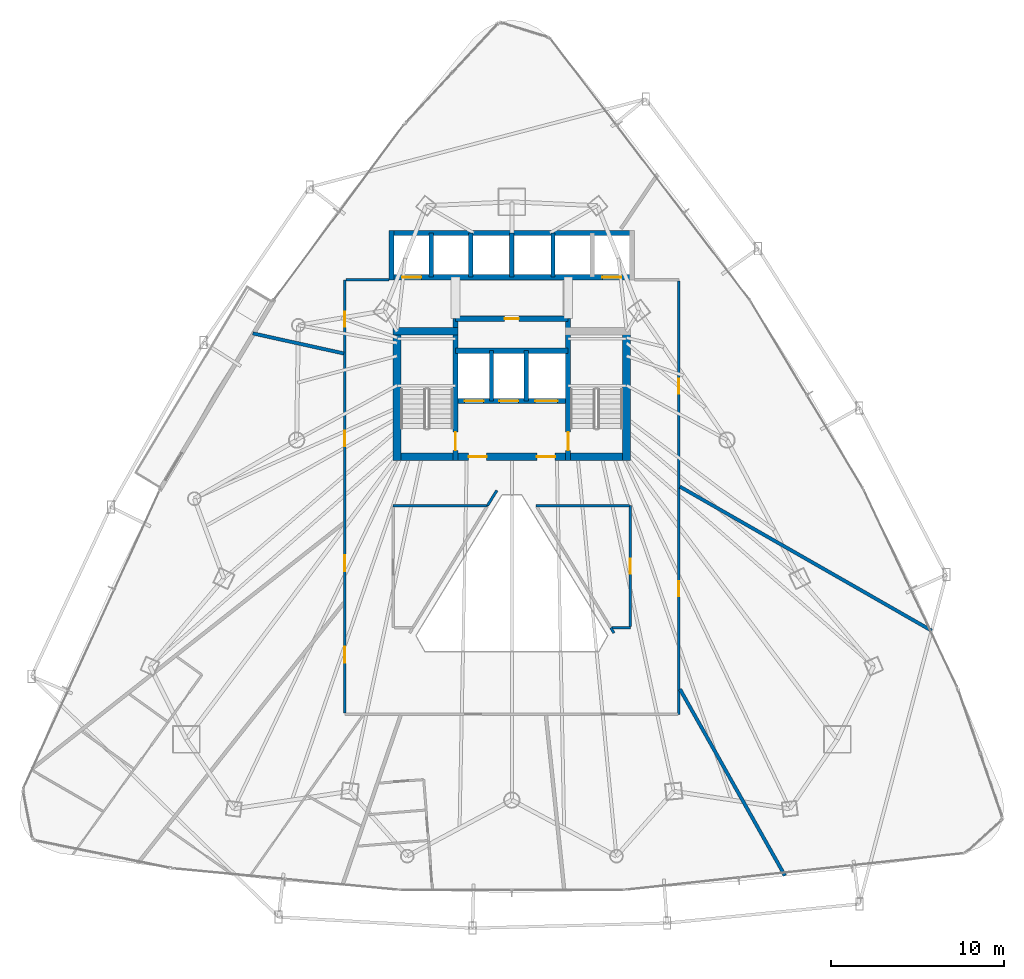
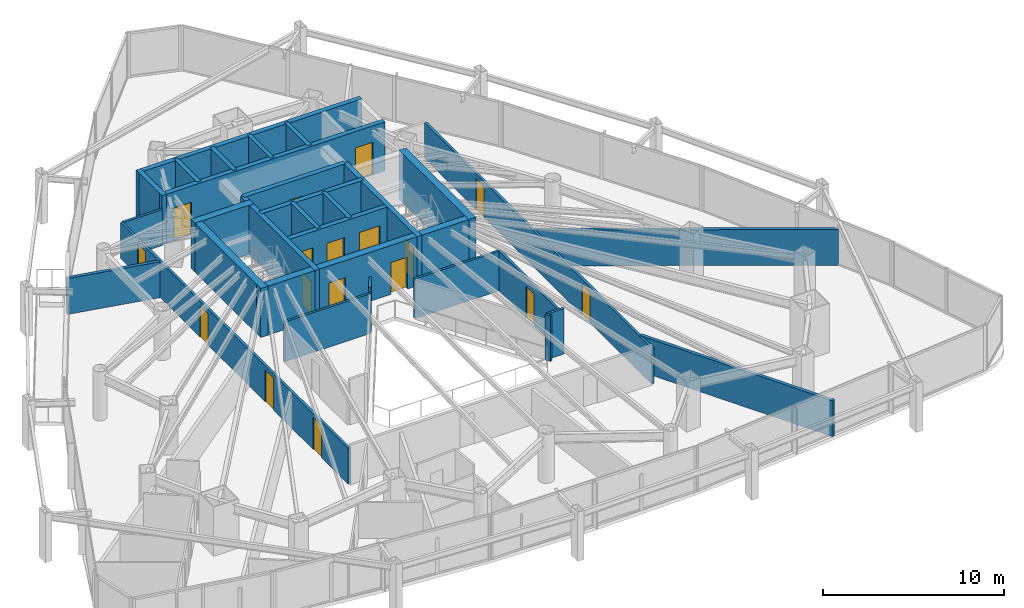
# One storey, part 32 of 37: 30 walls, 17 doors, 17 openings.
"""IFC4 building model written with IfcOpenShell, lengths in metres."""

from ifc_helpers import new_model, si_unit, direction, frame, frame_2d, origin, place, context, subcontext, project, spatial, rectangle, extrude, material, layer, layer_set, type_object, element, fill, save


model = new_model("IFC4")

# Units and contexts
model_context = context("Model", 3, precision=1e-05, world=origin(), true_north=direction((0.0, 1.0)))
body_context = subcontext(model_context, "Body", "Model", "MODEL_VIEW")
ifc_project = project(units=[si_unit("LENGTHUNIT", "METRE"), si_unit("AREAUNIT", "SQUARE_METRE"), si_unit("VOLUMEUNIT", "CUBIC_METRE"), si_unit("PLANEANGLEUNIT", "RADIAN"), si_unit("MASSUNIT", "GRAM", prefix="KILO")], contexts=[model_context])

# Site, building, storey
site_placement = place(None, origin())
site = spatial("IfcSite", under=ifc_project, at=site_placement, CompositionType="ELEMENT")
building_placement = place(site_placement, origin())
building = spatial("IfcBuilding", under=site, at=building_placement, Name="Orvanel Arch Residences", CompositionType="ELEMENT")
storey_placement = place(building_placement, frame((0.0, 0.0, 53.300048828125)))
storey = spatial("IfcBuildingStorey", under=building, at=storey_placement, Name="L14", CompositionType="ELEMENT", Elevation=53.300048828125)

# Walls
ifc_material_1 = material(Name="Concrete N50 (50 MPa)", Category="concrete")
ifc_layer_1 = layer(ifc_material_1, 0.25)
ifc_layer_set_1 = layer_set([ifc_layer_1], Name="Concrete N50 (50 MPa)")
wall_type_1 = type_object("IfcWallType", Name="SW-CORE-250", PredefinedType="SHEAR", material=ifc_layer_set_1)
for number, where, z_axis, x_axis, name in (
    (1, (31.824951171875, 29.89990234375, 0.0), (0.0, 0.0, 1.0), (0.0, 1.0, 0.0), "L14 Emergency Lift Inter-Shaft Wall F12"),
    (2, (33.824951171875, 29.89990234375, 0.0), (0.0, 0.0, 1.0), (0.0, 1.0, 0.0), "L14 Emergency Lift Inter-Shaft Wall F2G"),
):
    element("IfcWall", number, at=place(storey_placement, frame(where, z_axis=z_axis, x_axis=x_axis)), inside=storey, type_object=wall_type_1, Name=name, PredefinedType="SHEAR", context=body_context, shape_type="SweptSolid", body=[
        extrude(rectangle(XDim=2.900146484375, YDim=0.25, at=frame_2d((1.4501953125, 0.0))), origin(), (0.0, 0.0, 1.0), 3.300048828125),
    ])
for number, where, z_axis, x_axis, name in (
    (3, (28.35009765625, 37.050048828125, 0.0), (0.0, 0.0, 1.0), (0.0, 1.0, 0.0), "L14 Passenger Lift Inter-Shaft Wall P13"),
    (4, (30.625, 37.050048828125, 0.0), (0.0, 0.0, 1.0), (0.0, 1.0, 0.0), "L14 Passenger Lift Inter-Shaft Wall P35"),
    (5, (33.0, 37.050048828125, 0.0), (0.0, 0.0, 1.0), (0.0, 1.0, 0.0), "L14 Passenger Lift Inter-Shaft Wall P56"),
    (6, (35.375, 37.050048828125, 0.0), (0.0, 0.0, 1.0), (0.0, 1.0, 0.0), "L14 Passenger Lift Inter-Shaft Wall P64"),
):
    element("IfcWall", number, at=place(storey_placement, frame(where, z_axis=z_axis, x_axis=x_axis)), inside=storey, type_object=wall_type_1, Name=name, PredefinedType="SHEAR", context=body_context, shape_type="SweptSolid", body=[
        extrude(rectangle(XDim=2.550048828125, YDim=0.25, at=frame_2d((1.27490234375, 0.0))), origin(), (0.0, 0.0, 1.0), 3.300048828125),
    ])

# Wall, opening, door
ifc_material_2 = material(Name="Concrete S80 (80 MPa)", Category="concrete")
ifc_layer_2 = layer(ifc_material_2, 0.300048828125)
ifc_layer_set_2 = layer_set([ifc_layer_2], Name="Concrete S80 (80 MPa)")
wall_type_2 = type_object("IfcWallType", Name="SW-CORE-300", PredefinedType="SHEAR", material=ifc_layer_set_2)
wall_1_placement = place(storey_placement, frame((29.75, 26.449951171875, 0.0), z_axis=(0.0, 0.0, 1.0), x_axis=(0.0, 1.0, 0.0)))
wall_1 = element("IfcWall", 7, at=wall_1_placement, inside=storey, type_object=wall_type_2, Name="L14 West Inner Core Spine Shear Wall", PredefinedType="SHEAR", context=body_context, shape_type="SweptSolid", body=[
    extrude(rectangle(XDim=8.199951171875, YDim=0.300048828125, at=frame_2d((4.10009765625, 0.0))), origin(), (0.0, 0.0, 1.0), 3.300048828125),
])
opening_1_placement = place(wall_1_placement, frame((0.60009765625, 0.0, 0.0)))
opening_1 = element("IfcOpeningElement", 8, at=opening_1_placement, cuts=wall_1, Name="Opening DF-120", PredefinedType="OPENING", context=body_context, shape_type="SweptSolid", body=[
    extrude(rectangle(XDim=1.050048828125, YDim=2.14990234375, at=frame_2d((0.52490234375, 1.074951171875))), frame((0.0, 0.159912109375, 0.0), z_axis=(0.0, -1.0, 0.0), x_axis=(1.0, 0.0, 0.0)), (0.0, 0.0, 1.0), 0.320068359375),
])
ifc_material_3 = material(Name="Galvanised steel fire-resisting door assembly", Category="steel")
door_type_1 = type_object("IfcDoorType", Name="DR-FD120-1050", OperationType="NOTDEFINED", PredefinedType="DOOR", material=ifc_material_3)
door_1_placement = place(opening_1_placement, origin())
door_1 = element("IfcDoor", 9, at=door_1_placement, inside=storey, type_object=door_type_1, Name="DR-L14-ST1 L14 Stair 1 Fire Door", OperationType="SINGLE_SWING_LEFT", OverallHeight=2.14990234375, OverallWidth=1.050048828125, PredefinedType="DOOR", context=body_context, shape_type="SweptSolid", body=[
    extrude(rectangle(XDim=1.050048828125, YDim=2.14990234375, at=frame_2d((0.52490234375, 1.074951171875))), frame((0.0, 0.02490234375, 0.0), z_axis=(0.0, -1.0, 0.0), x_axis=(1.0, 0.0, 0.0)), (0.0, 0.0, 1.0), 0.050048828125),
])
fill(opening_1, door_1)

wall_2_placement = place(storey_placement, frame((36.25, 26.449951171875, 0.0), z_axis=(0.0, 0.0, 1.0), x_axis=(0.0, 1.0, 0.0)))
wall_2 = element("IfcWall", 10, at=wall_2_placement, inside=storey, type_object=wall_type_2, Name="L14 East Inner Core Spine Shear Wall", PredefinedType="SHEAR", context=body_context, shape_type="SweptSolid", body=[
    extrude(rectangle(XDim=8.199951171875, YDim=0.300048828125, at=frame_2d((4.10009765625, 0.0))), origin(), (0.0, 0.0, 1.0), 3.300048828125),
])
opening_2_placement = place(wall_2_placement, frame((0.60009765625, 0.0, 0.0)))
opening_2 = element("IfcOpeningElement", 11, at=opening_2_placement, cuts=wall_2, Name="Opening DF-120", PredefinedType="OPENING", context=body_context, shape_type="SweptSolid", body=[
    extrude(rectangle(XDim=1.050048828125, YDim=2.14990234375, at=frame_2d((0.52490234375, 1.074951171875))), frame((0.0, 0.159912109375, 0.0), z_axis=(0.0, -1.0, 0.0), x_axis=(1.0, 0.0, 0.0)), (0.0, 0.0, 1.0), 0.320068359375),
])
door_2_placement = place(opening_2_placement, origin())
door_2 = element("IfcDoor", 12, at=door_2_placement, inside=storey, type_object=door_type_1, Name="DR-L14-ST2 L14 Stair 2 Fire Door", OperationType="SINGLE_SWING_RIGHT", OverallHeight=2.14990234375, OverallWidth=1.050048828125, PredefinedType="DOOR", context=body_context, shape_type="SweptSolid", body=[
    extrude(rectangle(XDim=1.050048828125, YDim=2.14990234375, at=frame_2d((0.52490234375, 1.074951171875))), frame((0.0, 0.02490234375, 0.0), z_axis=(0.0, -1.0, 0.0), x_axis=(1.0, 0.0, 0.0)), (0.0, 0.0, 1.0), 0.050048828125),
])
fill(opening_2, door_2)

# Wall, openings, doors
wall_3_placement = place(storey_placement, frame((36.25, 29.89990234375, 0.0), z_axis=(0.0, 0.0, 1.0), x_axis=(-1.0, 0.0, 0.0)))
wall_3 = element("IfcWall", 13, at=wall_3_placement, inside=storey, type_object=wall_type_2, Name="L14 Emergency Lift Front Core Shear Wall", PredefinedType="SHEAR", context=body_context, shape_type="SweptSolid", body=[
    extrude(rectangle(XDim=6.5, YDim=0.300048828125, at=frame_2d((3.25, 0.0))), origin(), (0.0, 0.0, 1.0), 3.300048828125),
])
opening_3_placement = place(wall_3_placement, frame((4.875, 0.0, 0.0)))
opening_3 = element("IfcOpeningElement", 14, at=opening_3_placement, cuts=wall_3, Name="Opening LD-110", PredefinedType="OPENING", context=body_context, shape_type="SweptSolid", body=[
    extrude(rectangle(XDim=1.10009765625, YDim=2.199951171875, at=frame_2d((0.550048828125, 1.10009765625))), frame((0.0, 0.159912109375, 0.0), z_axis=(0.0, -1.0, 0.0), x_axis=(1.0, 0.0, 0.0)), (0.0, 0.0, 1.0), 0.320068359375),
])
opening_4_placement = place(wall_3_placement, frame((2.875, 0.0, 0.0)))
opening_4 = element("IfcOpeningElement", 15, at=opening_4_placement, cuts=wall_3, Name="Opening LD-110", PredefinedType="OPENING", context=body_context, shape_type="SweptSolid", body=[
    extrude(rectangle(XDim=1.10009765625, YDim=2.199951171875, at=frame_2d((0.550048828125, 1.10009765625))), frame((0.0, 0.159912109375, 0.0), z_axis=(0.0, -1.0, 0.0), x_axis=(1.0, 0.0, 0.0)), (0.0, 0.0, 1.0), 0.320068359375),
])
opening_5_placement = place(wall_3_placement, frame((0.60009765625, 0.0, 0.0)))
opening_5 = element("IfcOpeningElement", 16, at=opening_5_placement, cuts=wall_3, Name="Opening LD-130", PredefinedType="OPENING", context=body_context, shape_type="SweptSolid", body=[
    extrude(rectangle(XDim=1.300048828125, YDim=2.199951171875, at=frame_2d((0.64990234375, 1.10009765625))), frame((0.0, 0.159912109375, 0.0), z_axis=(0.0, -1.0, 0.0), x_axis=(1.0, 0.0, 0.0)), (0.0, 0.0, 1.0), 0.320068359375),
])
door_type_2 = type_object("IfcDoorType", Name="DR-LFT-1100", OperationType="NOTDEFINED", PredefinedType="DOOR", material=ifc_material_3)
door_3_placement = place(opening_3_placement, origin())
door_3 = element("IfcDoor", 17, at=door_3_placement, inside=storey, type_object=door_type_2, Name="LD-F1-L14 L14 Lift F1 Sliding Landing Door", OperationType="DOUBLE_DOOR_SLIDING", OverallHeight=2.199951171875, OverallWidth=1.10009765625, PredefinedType="DOOR", context=body_context, shape_type="SweptSolid", body=[
    extrude(rectangle(XDim=1.10009765625, YDim=2.199951171875, at=frame_2d((0.550048828125, 1.10009765625))), frame((0.0, 0.02490234375, 0.0), z_axis=(0.0, -1.0, 0.0), x_axis=(1.0, 0.0, 0.0)), (0.0, 0.0, 1.0), 0.050048828125),
])
fill(opening_3, door_3)
door_4_placement = place(opening_4_placement, origin())
door_4 = element("IfcDoor", 18, at=door_4_placement, inside=storey, type_object=door_type_2, Name="LD-F2-L14 L14 Lift F2 Sliding Landing Door", OperationType="DOUBLE_DOOR_SLIDING", OverallHeight=2.199951171875, OverallWidth=1.10009765625, PredefinedType="DOOR", context=body_context, shape_type="SweptSolid", body=[
    extrude(rectangle(XDim=1.10009765625, YDim=2.199951171875, at=frame_2d((0.550048828125, 1.10009765625))), frame((0.0, 0.02490234375, 0.0), z_axis=(0.0, -1.0, 0.0), x_axis=(1.0, 0.0, 0.0)), (0.0, 0.0, 1.0), 0.050048828125),
])
fill(opening_4, door_4)
door_type_3 = type_object("IfcDoorType", Name="DR-LFT-1300", OperationType="NOTDEFINED", PredefinedType="DOOR", material=ifc_material_3)
door_5_placement = place(opening_5_placement, origin())
door_5 = element("IfcDoor", 19, at=door_5_placement, inside=storey, type_object=door_type_3, Name="LD-G1-L14 L14 Lift G1 Sliding Landing Door", OperationType="DOUBLE_DOOR_SLIDING", OverallHeight=2.199951171875, OverallWidth=1.300048828125, PredefinedType="DOOR", context=body_context, shape_type="SweptSolid", body=[
    extrude(rectangle(XDim=1.300048828125, YDim=2.199951171875, at=frame_2d((0.64990234375, 1.10009765625))), frame((0.0, 0.02490234375, 0.0), z_axis=(0.0, -1.0, 0.0), x_axis=(1.0, 0.0, 0.0)), (0.0, 0.0, 1.0), 0.050048828125),
])
fill(opening_5, door_5)

# Wall
wall_4_placement = place(storey_placement, frame((29.75, 32.800048828125, 0.0), z_axis=(0.0, 0.0, 1.0), x_axis=(1.0, 0.0, 0.0)))
element("IfcWall", 20, at=wall_4_placement, inside=storey, type_object=wall_type_2, Name="L14 Emergency Lift Back Core Shear Wall", PredefinedType="SHEAR", context=body_context, shape_type="SweptSolid", body=[
    extrude(rectangle(XDim=6.5, YDim=0.300048828125, at=frame_2d((3.25, 0.0))), origin(), (0.0, 0.0, 1.0), 3.300048828125),
])

# Wall, opening, door
wall_5_placement = place(storey_placement, frame((29.75, 34.64990234375, 0.0), z_axis=(0.0, 0.0, 1.0), x_axis=(1.0, 0.0, 0.0)))
wall_5 = element("IfcWall", 21, at=wall_5_placement, inside=storey, type_object=wall_type_2, Name="L14 Core Service Band North Shear Wall", PredefinedType="SHEAR", context=body_context, shape_type="SweptSolid", body=[
    extrude(rectangle(XDim=6.5, YDim=0.300048828125, at=frame_2d((3.25, 0.0))), origin(), (0.0, 0.0, 1.0), 3.300048828125),
])
opening_6_placement = place(wall_5_placement, frame((2.840087890625, 0.0, 0.0)))
opening_6 = element("IfcOpeningElement", 22, at=opening_6_placement, cuts=wall_5, Name="Opening DS-082", PredefinedType="OPENING", context=body_context, shape_type="SweptSolid", body=[
    extrude(rectangle(XDim=0.820068359375, YDim=2.10009765625, at=frame_2d((0.41015625, 1.050048828125))), frame((0.0, 0.159912109375, 0.0), z_axis=(0.0, -1.0, 0.0), x_axis=(1.0, 0.0, 0.0)), (0.0, 0.0, 1.0), 0.320068359375),
])
door_type_4 = type_object("IfcDoorType", Name="DR-SVC-820", OperationType="NOTDEFINED", PredefinedType="DOOR", material=ifc_material_3)
door_6_placement = place(opening_6_placement, origin())
door_6 = element("IfcDoor", 23, at=door_6_placement, inside=storey, type_object=door_type_4, Name="DR-L14-CSVC-1 L14 Housekeeping Linen Store Door", OperationType="SINGLE_SWING_LEFT", OverallHeight=2.10009765625, OverallWidth=0.820068359375, PredefinedType="DOOR", context=body_context, shape_type="SweptSolid", body=[
    extrude(rectangle(XDim=0.820068359375, YDim=2.10009765625, at=frame_2d((0.41015625, 1.050048828125))), frame((0.0, 0.02490234375, 0.0), z_axis=(0.0, -1.0, 0.0), x_axis=(1.0, 0.0, 0.0)), (0.0, 0.0, 1.0), 0.050048828125),
])
fill(opening_6, door_6)

# Wall, openings, doors
wall_6_placement = place(storey_placement, frame((40.10009765625, 37.050048828125, 0.0), z_axis=(0.0, 0.0, 1.0), x_axis=(-1.0, 0.0, 0.0)))
wall_6 = element("IfcWall", 24, at=wall_6_placement, inside=storey, type_object=wall_type_2, Name="L14 Passenger Lift Bank Front Shear Wall", PredefinedType="SHEAR", context=body_context, shape_type="SweptSolid", body=[
    extrude(rectangle(XDim=14.2001953125, YDim=0.300048828125, at=frame_2d((7.10009765625, 0.0))), origin(), (0.0, 0.0, 1.0), 3.300048828125),
])
opening_7_placement = place(wall_6_placement, frame((12.324951171875, 0.0, 0.0)))
opening_7 = element("IfcOpeningElement", 25, at=opening_7_placement, cuts=wall_6, Name="Opening LD-110", PredefinedType="OPENING", context=body_context, shape_type="SweptSolid", body=[
    extrude(rectangle(XDim=1.10009765625, YDim=2.199951171875, at=frame_2d((0.550048828125, 1.10009765625))), frame((0.0, 0.159912109375, 0.0), z_axis=(0.0, -1.0, 0.0), x_axis=(1.0, 0.0, 0.0)), (0.0, 0.0, 1.0), 0.320068359375),
])
opening_8_placement = place(wall_6_placement, frame((0.77490234375, 0.0, 0.0)))
opening_8 = element("IfcOpeningElement", 26, at=opening_8_placement, cuts=wall_6, Name="Opening LD-110", PredefinedType="OPENING", context=body_context, shape_type="SweptSolid", body=[
    extrude(rectangle(XDim=1.10009765625, YDim=2.199951171875, at=frame_2d((0.550048828125, 1.10009765625))), frame((0.0, 0.159912109375, 0.0), z_axis=(0.0, -1.0, 0.0), x_axis=(1.0, 0.0, 0.0)), (0.0, 0.0, 1.0), 0.320068359375),
])
door_7_placement = place(opening_7_placement, origin())
door_7 = element("IfcDoor", 27, at=door_7_placement, inside=storey, type_object=door_type_2, Name="LD-P1-L14 L14 Passenger Lift P1 Sliding Landing Door", OperationType="DOUBLE_DOOR_SLIDING", OverallHeight=2.199951171875, OverallWidth=1.10009765625, PredefinedType="DOOR", context=body_context, shape_type="SweptSolid", body=[
    extrude(rectangle(XDim=1.10009765625, YDim=2.199951171875, at=frame_2d((0.550048828125, 1.10009765625))), frame((0.0, 0.02490234375, 0.0), z_axis=(0.0, -1.0, 0.0), x_axis=(1.0, 0.0, 0.0)), (0.0, 0.0, 1.0), 0.050048828125),
])
fill(opening_7, door_7)
door_8_placement = place(opening_8_placement, origin())
door_8 = element("IfcDoor", 28, at=door_8_placement, inside=storey, type_object=door_type_2, Name="LD-P2-L14 L14 Passenger Lift P2 Sliding Landing Door", OperationType="DOUBLE_DOOR_SLIDING", OverallHeight=2.199951171875, OverallWidth=1.10009765625, PredefinedType="DOOR", context=body_context, shape_type="SweptSolid", body=[
    extrude(rectangle(XDim=1.10009765625, YDim=2.199951171875, at=frame_2d((0.550048828125, 1.10009765625))), frame((0.0, 0.02490234375, 0.0), z_axis=(0.0, -1.0, 0.0), x_axis=(1.0, 0.0, 0.0)), (0.0, 0.0, 1.0), 0.050048828125),
])
fill(opening_8, door_8)

# Walls
wall_7_placement = place(storey_placement, frame((25.89990234375, 39.60009765625, 0.0), z_axis=(0.0, 0.0, 1.0), x_axis=(1.0, 0.0, 0.0)))
element("IfcWall", 29, at=wall_7_placement, inside=storey, type_object=wall_type_2, Name="L14 Passenger Lift Bank North Shear Wall", PredefinedType="SHEAR", context=body_context, shape_type="SweptSolid", body=[
    extrude(rectangle(XDim=14.2001953125, YDim=0.300048828125, at=frame_2d((7.10009765625, 0.0))), origin(), (0.0, 0.0, 1.0), 3.300048828125),
])
wall_8_placement = place(storey_placement, frame((26.050048828125, 36.89990234375, 0.0), z_axis=(0.0, 0.0, 1.0), x_axis=(0.0, 1.0, 0.0)))
element("IfcWall", 30, at=wall_8_placement, inside=storey, type_object=wall_type_2, Name="L14 Passenger Lift Bank West Shear Wall", PredefinedType="SHEAR", context=body_context, shape_type="SweptSolid", body=[
    extrude(rectangle(XDim=2.85009765625, YDim=0.300048828125, at=frame_2d((1.425048828125, 0.0))), origin(), (0.0, 0.0, 1.0), 3.300048828125),
])

# Wall, openings, doors
ifc_layer_3 = layer(ifc_material_2, 0.449951171875)
ifc_layer_set_3 = layer_set([ifc_layer_3], Name="Concrete S80 (80 MPa)")
wall_type_3 = type_object("IfcWallType", Name="SW-CORE-450", PredefinedType="SHEAR", material=ifc_layer_set_3)
wall_9_placement = place(storey_placement, frame((26.14990234375, 26.675048828125, 0.0), z_axis=(0.0, 0.0, 1.0), x_axis=(1.0, 0.0, 0.0)))
wall_9 = element("IfcWall", 31, at=wall_9_placement, inside=storey, type_object=wall_type_3, Name="L14 South Core Shear Wall", PredefinedType="SHEAR", context=body_context, shape_type="SweptSolid", body=[
    extrude(rectangle(XDim=13.7001953125, YDim=0.449951171875, at=frame_2d((6.85009765625, 0.0))), origin(), (0.0, 0.0, 1.0), 3.300048828125),
])
opening_9_placement = place(wall_9_placement, frame((4.35009765625, 0.0, 0.0)))
opening_9 = element("IfcOpeningElement", 32, at=opening_9_placement, cuts=wall_9, Name="Opening DF-060", PredefinedType="OPENING", context=body_context, shape_type="SweptSolid", body=[
    extrude(rectangle(XDim=1.050048828125, YDim=2.14990234375, at=frame_2d((0.52490234375, 1.074951171875))), frame((0.0, 0.23486328125, 0.0), z_axis=(0.0, -1.0, 0.0), x_axis=(1.0, 0.0, 0.0)), (0.0, 0.0, 1.0), 0.469970703125),
])
opening_10_placement = place(wall_9_placement, frame((8.300048828125, 0.0, 0.0)))
opening_10 = element("IfcOpeningElement", 33, at=opening_10_placement, cuts=wall_9, Name="Opening DF-060", PredefinedType="OPENING", context=body_context, shape_type="SweptSolid", body=[
    extrude(rectangle(XDim=1.050048828125, YDim=2.14990234375, at=frame_2d((0.52490234375, 1.074951171875))), frame((0.0, 0.23486328125, 0.0), z_axis=(0.0, -1.0, 0.0), x_axis=(1.0, 0.0, 0.0)), (0.0, 0.0, 1.0), 0.469970703125),
])
door_type_5 = type_object("IfcDoorType", Name="DR-FD60-1050", OperationType="NOTDEFINED", PredefinedType="DOOR", material=ifc_material_3)
door_9_placement = place(opening_9_placement, origin())
door_9 = element("IfcDoor", 34, at=door_9_placement, inside=storey, type_object=door_type_5, Name="DR-L14-FFL-W L14 West Smoke Lobby Door", OperationType="SINGLE_SWING_LEFT", OverallHeight=2.14990234375, OverallWidth=1.050048828125, PredefinedType="DOOR", context=body_context, shape_type="SweptSolid", body=[
    extrude(rectangle(XDim=1.050048828125, YDim=2.14990234375, at=frame_2d((0.52490234375, 1.074951171875))), frame((0.0, 0.02490234375, 0.0), z_axis=(0.0, -1.0, 0.0), x_axis=(1.0, 0.0, 0.0)), (0.0, 0.0, 1.0), 0.050048828125),
])
fill(opening_9, door_9)
door_10_placement = place(opening_10_placement, origin())
door_10 = element("IfcDoor", 35, at=door_10_placement, inside=storey, type_object=door_type_5, Name="DR-L14-FFL-E L14 East Smoke Lobby Door", OperationType="SINGLE_SWING_RIGHT", OverallHeight=2.14990234375, OverallWidth=1.050048828125, PredefinedType="DOOR", context=body_context, shape_type="SweptSolid", body=[
    extrude(rectangle(XDim=1.050048828125, YDim=2.14990234375, at=frame_2d((0.52490234375, 1.074951171875))), frame((0.0, 0.02490234375, 0.0), z_axis=(0.0, -1.0, 0.0), x_axis=(1.0, 0.0, 0.0)), (0.0, 0.0, 1.0), 0.050048828125),
])
fill(opening_10, door_10)

# Walls
wall_10_placement = place(storey_placement, frame((26.375, 26.449951171875, 0.0), z_axis=(0.0, 0.0, 1.0), x_axis=(0.0, 1.0, 0.0)))
element("IfcWall", 36, at=wall_10_placement, inside=storey, type_object=wall_type_3, Name="L14 West Stair Shear Wall", PredefinedType="SHEAR", context=body_context, shape_type="SweptSolid", body=[
    extrude(rectangle(XDim=7.699951171875, YDim=0.449951171875, at=frame_2d((3.85009765625, 0.0))), origin(), (0.0, 0.0, 1.0), 3.300048828125),
])
wall_11_placement = place(storey_placement, frame((26.14990234375, 33.925048828125, 0.0), z_axis=(0.0, 0.0, 1.0), x_axis=(1.0, 0.0, 0.0)))
element("IfcWall", 37, at=wall_11_placement, inside=storey, type_object=wall_type_3, Name="L14 West Stair North Shear Wall", PredefinedType="SHEAR", context=body_context, shape_type="SweptSolid", body=[
    extrude(rectangle(XDim=3.75, YDim=0.449951171875, at=frame_2d((1.875, 0.0))), origin(), (0.0, 0.0, 1.0), 3.300048828125),
])
wall_12_placement = place(storey_placement, frame((39.625, 26.449951171875, 0.0), z_axis=(0.0, 0.0, 1.0), x_axis=(0.0, 1.0, 0.0)))
element("IfcWall", 38, at=wall_12_placement, inside=storey, type_object=wall_type_3, Name="L14 East Stair Shear Wall", PredefinedType="SHEAR", context=body_context, shape_type="SweptSolid", body=[
    extrude(rectangle(XDim=7.699951171875, YDim=0.449951171875, at=frame_2d((3.85009765625, 0.0))), origin(), (0.0, 0.0, 1.0), 3.300048828125),
])

# Wall, openings, doors
ifc_material_4 = material(Name="Fire-rated plasterboard lined steel stud partition", Category="steel")
ifc_layer_4 = layer(ifc_material_4, 0.14990234375)
ifc_layer_set_4 = layer_set([ifc_layer_4], Name="Fire-rated plasterboard lined steel stud partition")
wall_type_4 = type_object("IfcWallType", Name="W-COR-150", PredefinedType="PARTITIONING", material=ifc_layer_set_4)
wall_13_placement = place(storey_placement, frame((42.64990234375, 36.840087890625, 0.0), z_axis=(0.0, 0.0, 1.0), x_axis=(0.0, -1.0, 0.0)))
wall_13 = element("IfcWall", 39, at=wall_13_placement, inside=storey, type_object=wall_type_4, Name="L14 Corridor Fire-Rated Partition", PredefinedType="PARTITIONING", context=body_context, shape_type="SweptSolid", body=[
    extrude(rectangle(XDim=25.0400390625, YDim=0.14990234375, at=frame_2d((12.52001953125, 0.0))), origin(), (0.0, 0.0, 1.0), 2.412841796875),
])
opening_11_placement = place(wall_13_placement, frame((17.343994140625, 0.0, 0.0)))
opening_11 = element("IfcOpeningElement", 40, at=opening_11_placement, cuts=wall_13, Name="Opening DI-088", PredefinedType="OPENING", context=body_context, shape_type="SweptSolid", body=[
    extrude(rectangle(XDim=0.8798828125, YDim=2.10009765625, at=frame_2d((0.43994140625, 1.050048828125))), frame((0.0, 0.0849609375, 0.0), z_axis=(0.0, -1.0, 0.0), x_axis=(1.0, 0.0, 0.0)), (0.0, 0.0, 1.0), 0.169921875),
])
opening_12_placement = place(wall_13_placement, frame((5.656005859375, 0.0, 0.0)))
opening_12 = element("IfcOpeningElement", 41, at=opening_12_placement, cuts=wall_13, Name="Opening DI-088", PredefinedType="OPENING", context=body_context, shape_type="SweptSolid", body=[
    extrude(rectangle(XDim=0.8798828125, YDim=2.10009765625, at=frame_2d((0.43994140625, 1.050048828125))), frame((0.0, 0.0849609375, 0.0), z_axis=(0.0, -1.0, 0.0), x_axis=(1.0, 0.0, 0.0)), (0.0, 0.0, 1.0), 0.169921875),
])
ifc_material_5 = material(Name="Solid-core European oak veneer fire door leaf", Category="wood")
door_type_6 = type_object("IfcDoorType", Name="DR-INT-880", OperationType="NOTDEFINED", PredefinedType="DOOR", material=ifc_material_5)
door_11_placement = place(opening_11_placement, origin())
door_11 = element("IfcDoor", 42, at=door_11_placement, inside=storey, type_object=door_type_6, Name="DR-L14-SHRD-FB1 L14 Co-Working Study Office A Door", OperationType="SINGLE_SWING_LEFT", OverallHeight=2.10009765625, OverallWidth=0.8798828125, PredefinedType="DOOR", context=body_context, shape_type="SweptSolid", body=[
    extrude(rectangle(XDim=0.8798828125, YDim=2.10009765625, at=frame_2d((0.43994140625, 1.050048828125))), frame((0.0, 0.02490234375, 0.0), z_axis=(0.0, -1.0, 0.0), x_axis=(1.0, 0.0, 0.0)), (0.0, 0.0, 1.0), 0.050048828125),
])
fill(opening_11, door_11)
door_12_placement = place(opening_12_placement, origin())
door_12 = element("IfcDoor", 43, at=door_12_placement, inside=storey, type_object=door_type_6, Name="DR-L14-SHRD-FB4 L14 Co-Working Study Office D Door", OperationType="SINGLE_SWING_LEFT", OverallHeight=2.10009765625, OverallWidth=0.8798828125, PredefinedType="DOOR", context=body_context, shape_type="SweptSolid", body=[
    extrude(rectangle(XDim=0.8798828125, YDim=2.10009765625, at=frame_2d((0.43994140625, 1.050048828125))), frame((0.0, 0.02490234375, 0.0), z_axis=(0.0, -1.0, 0.0), x_axis=(1.0, 0.0, 0.0)), (0.0, 0.0, 1.0), 0.050048828125),
])
fill(opening_12, door_12)

wall_14_placement = place(storey_placement, frame((23.35009765625, 11.860107421875, 0.0), z_axis=(0.0, 0.0, 1.0), x_axis=(0.0, 1.0, 0.0)))
wall_14 = element("IfcWall", 44, at=wall_14_placement, inside=storey, type_object=wall_type_4, Name="L14 Corridor Fire-Rated Partition", PredefinedType="PARTITIONING", context=body_context, shape_type="SweptSolid", body=[
    extrude(rectangle(XDim=25.039794921875, YDim=0.14990234375, at=frame_2d((12.52001953125, 0.0))), origin(), (0.0, 0.0, 1.0), 2.412841796875),
])
opening_13_placement = place(wall_14_placement, frame((15.43408203125, 0.0, 0.0)))
opening_13 = element("IfcOpeningElement", 45, at=opening_13_placement, cuts=wall_14, Name="Opening DI-088", PredefinedType="OPENING", context=body_context, shape_type="SweptSolid", body=[
    extrude(rectangle(XDim=0.8798828125, YDim=2.10009765625, at=frame_2d((0.43994140625, 1.050048828125))), frame((0.0, 0.0849609375, 0.0), z_axis=(0.0, -1.0, 0.0), x_axis=(1.0, 0.0, 0.0)), (0.0, 0.0, 1.0), 0.169921875),
])
opening_14_placement = place(wall_14_placement, frame((22.31494140625, 0.0, 0.0)))
opening_14 = element("IfcOpeningElement", 46, at=opening_14_placement, cuts=wall_14, Name="Opening DI-088", PredefinedType="OPENING", context=body_context, shape_type="SweptSolid", body=[
    extrude(rectangle(XDim=0.8798828125, YDim=2.10009765625, at=frame_2d((0.43994140625, 1.050048828125))), frame((0.0, 0.0849609375, 0.0), z_axis=(0.0, -1.0, 0.0), x_axis=(1.0, 0.0, 0.0)), (0.0, 0.0, 1.0), 0.169921875),
])
opening_15_placement = place(wall_14_placement, frame((8.2099609375, 0.0, 0.0)))
opening_15 = element("IfcOpeningElement", 47, at=opening_15_placement, cuts=wall_14, Name="Opening DA-092", PredefinedType="OPENING", context=body_context, shape_type="SweptSolid", body=[
    extrude(rectangle(XDim=0.919921875, YDim=2.14990234375, at=frame_2d((0.4599609375, 1.074951171875))), frame((0.0, 0.0849609375, 0.0), z_axis=(0.0, -1.0, 0.0), x_axis=(1.0, 0.0, 0.0)), (0.0, 0.0, 1.0), 0.169921875),
])
opening_16_placement = place(wall_14_placement, frame((2.912109375, 0.0, 0.0)))
opening_16 = element("IfcOpeningElement", 48, at=opening_16_placement, cuts=wall_14, Name="Opening DA-092", PredefinedType="OPENING", context=body_context, shape_type="SweptSolid", body=[
    extrude(rectangle(XDim=0.919921875, YDim=2.14990234375, at=frame_2d((0.4599609375, 1.074951171875))), frame((0.0, 0.0849609375, 0.0), z_axis=(0.0, -1.0, 0.0), x_axis=(1.0, 0.0, 0.0)), (0.0, 0.0, 1.0), 0.169921875),
])
door_type_7 = type_object("IfcDoorType", Name="DR-APT-920", OperationType="NOTDEFINED", PredefinedType="DOOR", material=ifc_material_5)
door_13_placement = place(opening_15_placement, origin())
door_13 = element("IfcDoor", 49, at=door_13_placement, inside=storey, type_object=door_type_7, Name="DR-L14-E-ENT L14 Flat E Entrance Door", OperationType="SINGLE_SWING_RIGHT", OverallHeight=2.14990234375, OverallWidth=0.919921875, PredefinedType="DOOR", context=body_context, shape_type="SweptSolid", body=[
    extrude(rectangle(XDim=0.919921875, YDim=2.14990234375, at=frame_2d((0.4599609375, 1.074951171875))), frame((0.0, 0.02490234375, 0.0), z_axis=(0.0, -1.0, 0.0), x_axis=(1.0, 0.0, 0.0)), (0.0, 0.0, 1.0), 0.050048828125),
])
fill(opening_15, door_13)
door_14_placement = place(opening_16_placement, origin())
door_14 = element("IfcDoor", 50, at=door_14_placement, inside=storey, type_object=door_type_7, Name="DR-L14-F-ENT L14 Flat F Entrance Door", OperationType="SINGLE_SWING_LEFT", OverallHeight=2.14990234375, OverallWidth=0.919921875, PredefinedType="DOOR", context=body_context, shape_type="SweptSolid", body=[
    extrude(rectangle(XDim=0.919921875, YDim=2.14990234375, at=frame_2d((0.4599609375, 1.074951171875))), frame((0.0, 0.02490234375, 0.0), z_axis=(0.0, -1.0, 0.0), x_axis=(1.0, 0.0, 0.0)), (0.0, 0.0, 1.0), 0.050048828125),
])
fill(opening_16, door_14)
door_15_placement = place(opening_13_placement, origin())
door_15 = element("IfcDoor", 51, at=door_15_placement, inside=storey, type_object=door_type_6, Name="DR-L14-SHRD-FB2 L14 Co-Working Study Office B Door", OperationType="SINGLE_SWING_LEFT", OverallHeight=2.10009765625, OverallWidth=0.8798828125, PredefinedType="DOOR", context=body_context, shape_type="SweptSolid", body=[
    extrude(rectangle(XDim=0.8798828125, YDim=2.10009765625, at=frame_2d((0.43994140625, 1.050048828125))), frame((0.0, 0.02490234375, 0.0), z_axis=(0.0, -1.0, 0.0), x_axis=(1.0, 0.0, 0.0)), (0.0, 0.0, 1.0), 0.050048828125),
])
fill(opening_13, door_15)
door_16_placement = place(opening_14_placement, origin())
door_16 = element("IfcDoor", 52, at=door_16_placement, inside=storey, type_object=door_type_6, Name="DR-L14-SHRD-FB3 L14 Co-Working Study Office C Door", OperationType="SINGLE_SWING_LEFT", OverallHeight=2.10009765625, OverallWidth=0.8798828125, PredefinedType="DOOR", context=body_context, shape_type="SweptSolid", body=[
    extrude(rectangle(XDim=0.8798828125, YDim=2.10009765625, at=frame_2d((0.43994140625, 1.050048828125))), frame((0.0, 0.02490234375, 0.0), z_axis=(0.0, -1.0, 0.0), x_axis=(1.0, 0.0, 0.0)), (0.0, 0.0, 1.0), 0.050048828125),
])
fill(opening_14, door_16)

# Walls
wall_15_placement = place(storey_placement, frame((23.409912109375, 36.89990234375, 0.0), z_axis=(0.0, 0.0, 1.0), x_axis=(1.0, 0.0, 0.0)))
element("IfcWall", 53, at=wall_15_placement, inside=storey, type_object=wall_type_4, Name="L14 Corridor Fire-Rated Partition", PredefinedType="PARTITIONING", context=body_context, shape_type="SweptSolid", body=[
    extrude(rectangle(XDim=2.489990234375, YDim=0.14990234375, at=frame_2d((1.2451171875, 0.0))), origin(), (0.0, 0.0, 1.0), 2.412841796875),
])
wall_16_placement = place(storey_placement, frame((32.134033203125, 24.72802734375, 0.0), z_axis=(0.0, 0.0, 1.0), x_axis=(-0.525996314714, -0.850486846993, 0.0)))
element("IfcWall", 54, at=wall_16_placement, inside=storey, type_object=wall_type_4, Name="L14 Corridor Fire-Rated Partition", PredefinedType="PARTITIONING", context=body_context, shape_type="SweptSolid", body=[
    extrude(rectangle(XDim=1.0322265625, YDim=0.14990234375, at=frame_2d((0.51611328125, 0.0))), origin(), (0.0, 0.0, 1.0), 3.06005859375),
])
wall_17_placement = place(storey_placement, frame((31.591064453125, 23.85009765625, 0.0), z_axis=(0.0, 0.0, 1.0), x_axis=(-1.0, 0.0, 0.0)))
element("IfcWall", 55, at=wall_17_placement, inside=storey, type_object=wall_type_4, Name="L14 Corridor Fire-Rated Partition", PredefinedType="PARTITIONING", context=body_context, shape_type="SweptSolid", body=[
    extrude(rectangle(XDim=5.441162109375, YDim=0.14990234375, at=frame_2d((2.720703125, 0.0))), origin(), (0.0, 0.0, 1.0), 2.6689453125),
])
wall_18_placement = place(storey_placement, frame((38.89697265625, 16.498046875, 0.0), z_axis=(0.0, 0.0, 1.0), x_axis=(-0.507720001023, 0.861522141654, 0.0)))
element("IfcWall", 56, at=wall_18_placement, inside=storey, type_object=wall_type_4, Name="L14 Corridor Fire-Rated Partition", PredefinedType="PARTITIONING", context=body_context, shape_type="SweptSolid", body=[
    extrude(rectangle(XDim=0.3505859375, YDim=0.14990234375, at=frame_2d((0.17529296875, 0.0))), origin(), (0.0, 0.0, 1.0), 3.06005859375),
])
wall_19_placement = place(storey_placement, frame((38.7890625, 16.800048828125, 0.0), z_axis=(0.0, 0.0, 1.0), x_axis=(1.0, 0.0, 0.0)))
element("IfcWall", 57, at=wall_19_placement, inside=storey, type_object=wall_type_4, Name="L14 Corridor Fire-Rated Partition", PredefinedType="PARTITIONING", context=body_context, shape_type="SweptSolid", body=[
    extrude(rectangle(XDim=1.06103515625, YDim=0.14990234375, at=frame_2d((0.530517578125, 0.0))), origin(), (0.0, 0.0, 1.0), 3.06005859375),
])

# Wall, opening, door
wall_20_placement = place(storey_placement, frame((39.85009765625, 16.860107421875, 0.0), z_axis=(0.0, 0.0, 1.0), x_axis=(0.0, 1.0, 0.0)))
wall_20 = element("IfcWall", 58, at=wall_20_placement, inside=storey, type_object=wall_type_4, Name="L14 Corridor Fire-Rated Partition", PredefinedType="PARTITIONING", context=body_context, shape_type="SweptSolid", body=[
    extrude(rectangle(XDim=6.989990234375, YDim=0.14990234375, at=frame_2d((3.4951171875, 0.0))), origin(), (0.0, 0.0, 1.0), 2.6689453125),
])
opening_17_placement = place(wall_20_placement, frame((3.054931640625, 0.0, 0.0)))
opening_17 = element("IfcOpeningElement", 59, at=opening_17_placement, cuts=wall_20, Name="Opening DI-088", PredefinedType="OPENING", context=body_context, shape_type="SweptSolid", body=[
    extrude(rectangle(XDim=0.8798828125, YDim=2.10009765625, at=frame_2d((0.43994140625, 1.050048828125))), frame((0.0, 0.0849609375, 0.0), z_axis=(0.0, -1.0, 0.0), x_axis=(1.0, 0.0, 0.0)), (0.0, 0.0, 1.0), 0.169921875),
])
door_17_placement = place(opening_17_placement, origin())
door_17 = element("IfcDoor", 60, at=door_17_placement, inside=storey, type_object=door_type_6, Name="DR-L14-SHRD-FB10 L14 Co-Working Study Office J Door", OperationType="SINGLE_SWING_LEFT", OverallHeight=2.10009765625, OverallWidth=0.8798828125, PredefinedType="DOOR", context=body_context, shape_type="SweptSolid", body=[
    extrude(rectangle(XDim=0.8798828125, YDim=2.10009765625, at=frame_2d((0.43994140625, 1.050048828125))), frame((0.0, 0.02490234375, 0.0), z_axis=(0.0, -1.0, 0.0), x_axis=(1.0, 0.0, 0.0)), (0.0, 0.0, 1.0), 0.050048828125),
])
fill(opening_17, door_17)

# Walls
wall_21_placement = place(storey_placement, frame((39.7900390625, 23.85009765625, 0.0), z_axis=(0.0, 0.0, 1.0), x_axis=(-1.0, 0.0, 0.0)))
element("IfcWall", 61, at=wall_21_placement, inside=storey, type_object=wall_type_4, Name="L14 Corridor Fire-Rated Partition", PredefinedType="PARTITIONING", context=body_context, shape_type="SweptSolid", body=[
    extrude(rectangle(XDim=5.381103515625, YDim=0.14990234375, at=frame_2d((2.6904296875, 0.0))), origin(), (0.0, 0.0, 1.0), 2.6689453125),
])
ifc_layer_5 = layer(ifc_material_4, 0.199951171875)
ifc_layer_set_5 = layer_set([ifc_layer_5], Name="Fire-rated plasterboard lined steel stud partition")
wall_type_5 = type_object("IfcWallType", Name="W-DEM-200", PredefinedType="PARTITIONING", material=ifc_layer_set_5)
wall_22_placement = place(storey_placement, frame((42.7099609375, 24.947021484375, 0.0), z_axis=(0.0, 0.0, 1.0), x_axis=(0.868086992596, -0.49641210026, 0.0)))
element("IfcWall", 62, at=wall_22_placement, inside=storey, type_object=wall_type_5, Name="L14 Inter-Tenancy Acoustic Demising Wall", PredefinedType="PARTITIONING", context=body_context, shape_type="SweptSolid", body=[
    extrude(rectangle(XDim=16.74609375, YDim=0.199951171875, at=frame_2d((8.373046875, 0.0))), origin(), (0.0, 0.0, 1.0), 2.412841796875),
])
wall_23_placement = place(storey_placement, frame((48.777099609375, 2.47705078125, 0.0), z_axis=(0.0, 0.0, 1.0), x_axis=(-0.490577996894, 0.871397285377, 0.0)))
element("IfcWall", 63, at=wall_23_placement, inside=storey, type_object=wall_type_5, Name="L14 Inter-Tenancy Acoustic Demising Wall", PredefinedType="PARTITIONING", context=body_context, shape_type="SweptSolid", body=[
    extrude(rectangle(XDim=12.367431640625, YDim=0.199951171875, at=frame_2d((6.18359375, 0.0))), origin(), (0.0, 0.0, 1.0), 2.412841796875),
])
wall_24_placement = place(storey_placement, frame((18.034912109375, 33.803955078125, 0.0), z_axis=(0.0, 0.0, 1.0), x_axis=(0.976496681047, -0.215532438172, 0.0)))
element("IfcWall", 64, at=wall_24_placement, inside=storey, type_object=wall_type_5, Name="L14 Inter-Tenancy Acoustic Demising Wall", PredefinedType="PARTITIONING", context=body_context, shape_type="SweptSolid", body=[
    extrude(rectangle(XDim=5.381591796875, YDim=0.199951171875, at=frame_2d((2.69091796875, 0.0))), origin(), (0.0, 0.0, 1.0), 2.412841796875),
])

save(model, "model.ifc")
